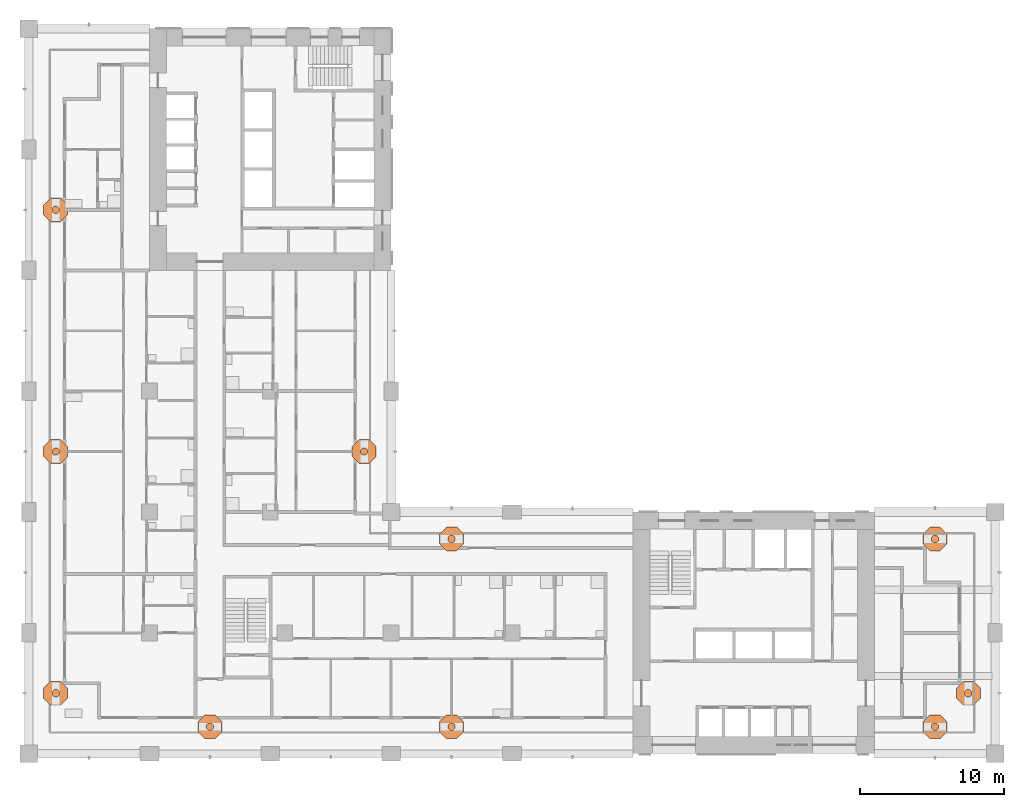
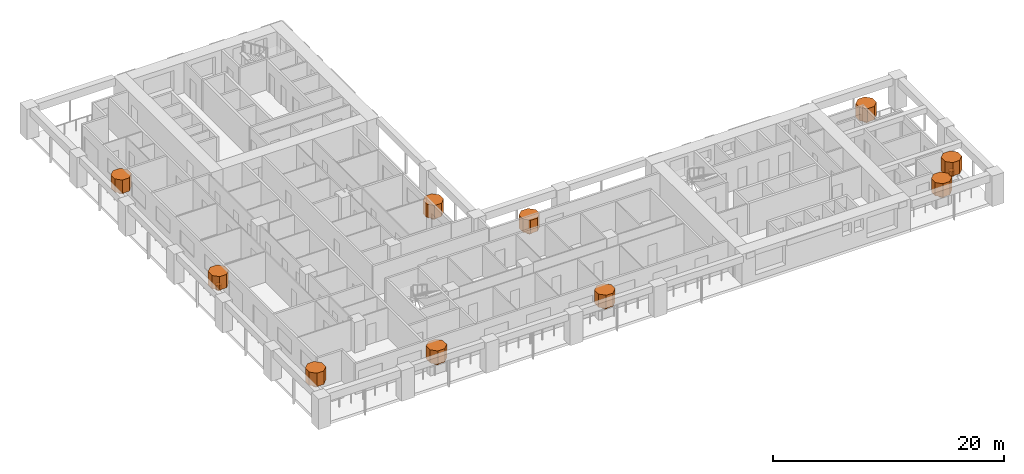
# One storey, part 19 of 19: 20 geographic elements.
"""IFC4 building model written with IfcOpenShell, lengths in metres."""

from ifc_helpers import new_model, si_unit, direction, frame, origin, place, context, subcontext, project, spatial, polyline, outline, extrude, material, element, save


model = new_model("IFC4")

# Units and contexts
model_context = context("Model", 3, precision=1e-05, world=origin(), true_north=direction((0.0, 1.0)))
body_context = subcontext(model_context, "Body", "Model", "MODEL_VIEW")
ifc_project = project(units=[si_unit("LENGTHUNIT", "METRE"), si_unit("AREAUNIT", "SQUARE_METRE"), si_unit("VOLUMEUNIT", "CUBIC_METRE"), si_unit("PLANEANGLEUNIT", "RADIAN"), si_unit("MASSUNIT", "GRAM", prefix="KILO")], contexts=[model_context])

# Site, building, storey
site_placement = place(None, origin())
site = spatial("IfcSite", under=ifc_project, at=site_placement, CompositionType="ELEMENT")
building_placement = place(site_placement, origin())
building = spatial("IfcBuilding", under=site, at=building_placement, Name="Vermilion Gate Residences", CompositionType="ELEMENT")
storey_placement = place(building_placement, frame((0.0, 0.0, 119.699951171875)))
storey = spatial("IfcBuildingStorey", under=building, at=storey_placement, Name="L30", CompositionType="ELEMENT", Elevation=119.699951171875)

# Geographic elements
ifc_material = material(Name="Foliage")
geographic_element_1_placement = place(storey_placement, frame((0.0, 0.0, 0.900146484375)))
element("IfcGeographicElement", 1, at=geographic_element_1_placement, inside=storey, material=ifc_material, Name="Tree (maple)", ObjectType="TREE", PredefinedType="USERDEFINED", context=body_context, shape_type="SweptSolid", body=[
    extrude(outline(polyline([(12.85400390625, 10.380126953125), (12.705078125, 10.529052734375), (12.494873046875, 10.529052734375), (12.345947265625, 10.380126953125), (12.345947265625, 10.169921875), (12.494873046875, 10.02099609375), (12.705078125, 10.02099609375), (12.85400390625, 10.169921875), (12.85400390625, 10.380126953125)])), origin(), (0.0, 0.0, 1.0), 0.52001953125),
])
geographic_element_2_placement = place(storey_placement, frame((0.0, 0.0, 1.420166015625)))
element("IfcGeographicElement", 2, at=geographic_element_2_placement, inside=storey, material=ifc_material, Name="Tree crown (maple)", ObjectType="TREE", PredefinedType="USERDEFINED", context=body_context, shape_type="SweptSolid", body=[
    extrude(outline(polyline([(13.431396484375, 10.619384765625), (12.9443359375, 11.1064453125), (12.255615234375, 11.1064453125), (11.7685546875, 10.619384765625), (11.7685546875, 9.9306640625), (12.255615234375, 9.443603515625), (12.9443359375, 9.443603515625), (13.431396484375, 9.9306640625), (13.431396484375, 10.619384765625)])), origin(), (0.0, 0.0, 1.0), 1.39990234375),
])
geographic_element_3_placement = place(storey_placement, frame((0.0, 0.0, 0.900146484375)))
element("IfcGeographicElement", 3, at=geographic_element_3_placement, inside=storey, material=ifc_material, Name="Tree (black pine)", ObjectType="TREE", PredefinedType="USERDEFINED", context=body_context, shape_type="SweptSolid", body=[
    extrude(outline(polyline([(29.654052734375, 10.380126953125), (29.505126953125, 10.529052734375), (29.294921875, 10.529052734375), (29.14599609375, 10.380126953125), (29.14599609375, 10.169921875), (29.294921875, 10.02099609375), (29.505126953125, 10.02099609375), (29.654052734375, 10.169921875), (29.654052734375, 10.380126953125)])), origin(), (0.0, 0.0, 1.0), 0.52001953125),
])
geographic_element_4_placement = place(storey_placement, frame((0.0, 0.0, 1.420166015625)))
element("IfcGeographicElement", 4, at=geographic_element_4_placement, inside=storey, material=ifc_material, Name="Tree crown (black pine)", ObjectType="TREE", PredefinedType="USERDEFINED", context=body_context, shape_type="SweptSolid", body=[
    extrude(outline(polyline([(30.2314453125, 10.619384765625), (29.744384765625, 11.1064453125), (29.0556640625, 11.1064453125), (28.568603515625, 10.619384765625), (28.568603515625, 9.9306640625), (29.0556640625, 9.443603515625), (29.744384765625, 9.443603515625), (30.2314453125, 9.9306640625), (30.2314453125, 10.619384765625)])), origin(), (0.0, 0.0, 1.0), 1.39990234375),
])
geographic_element_5_placement = place(storey_placement, frame((0.0, 0.0, 0.900146484375)))
element("IfcGeographicElement", 5, at=geographic_element_5_placement, inside=storey, material=ifc_material, Name="Tree (black pine)", ObjectType="TREE", PredefinedType="USERDEFINED", context=body_context, shape_type="SweptSolid", body=[
    extrude(outline(polyline([(63.254150390625, 10.380126953125), (63.105224609375, 10.529052734375), (62.894775390625, 10.529052734375), (62.745849609375, 10.380126953125), (62.745849609375, 10.169921875), (62.894775390625, 10.02099609375), (63.105224609375, 10.02099609375), (63.254150390625, 10.169921875), (63.254150390625, 10.380126953125)])), origin(), (0.0, 0.0, 1.0), 0.52001953125),
])
geographic_element_6_placement = place(storey_placement, frame((0.0, 0.0, 1.420166015625)))
element("IfcGeographicElement", 6, at=geographic_element_6_placement, inside=storey, material=ifc_material, Name="Tree crown (black pine)", ObjectType="TREE", PredefinedType="USERDEFINED", context=body_context, shape_type="SweptSolid", body=[
    extrude(outline(polyline([(63.83154296875, 10.619384765625), (63.344482421875, 11.1064453125), (62.655517578125, 11.1064453125), (62.16845703125, 10.619384765625), (62.16845703125, 9.9306640625), (62.655517578125, 9.443603515625), (63.344482421875, 9.443603515625), (63.83154296875, 9.9306640625), (63.83154296875, 10.619384765625)])), origin(), (0.0, 0.0, 1.0), 1.39990234375),
])
geographic_element_7_placement = place(storey_placement, frame((0.0, 0.0, 0.900146484375)))
element("IfcGeographicElement", 7, at=geographic_element_7_placement, inside=storey, material=ifc_material, Name="Tree (maple)", ObjectType="TREE", PredefinedType="USERDEFINED", context=body_context, shape_type="SweptSolid", body=[
    extrude(outline(polyline([(65.5791015625, 12.705078125), (65.43017578125, 12.85400390625), (65.2197265625, 12.85400390625), (65.07080078125, 12.705078125), (65.07080078125, 12.494873046875), (65.2197265625, 12.345947265625), (65.43017578125, 12.345947265625), (65.5791015625, 12.494873046875), (65.5791015625, 12.705078125)])), origin(), (0.0, 0.0, 1.0), 0.52001953125),
])
geographic_element_8_placement = place(storey_placement, frame((0.0, 0.0, 1.420166015625)))
element("IfcGeographicElement", 8, at=geographic_element_8_placement, inside=storey, material=ifc_material, Name="Tree crown (maple)", ObjectType="TREE", PredefinedType="USERDEFINED", context=body_context, shape_type="SweptSolid", body=[
    extrude(outline(polyline([(66.156494140625, 12.9443359375), (65.66943359375, 13.431396484375), (64.980712890625, 13.431396484375), (64.493408203125, 12.9443359375), (64.493408203125, 12.255615234375), (64.980712890625, 11.7685546875), (65.66943359375, 11.7685546875), (66.156494140625, 12.255615234375), (66.156494140625, 12.9443359375)])), origin(), (0.0, 0.0, 1.0), 1.39990234375),
])
geographic_element_9_placement = place(storey_placement, frame((0.0, 0.0, 0.900146484375)))
element("IfcGeographicElement", 9, at=geographic_element_9_placement, inside=storey, material=ifc_material, Name="Tree (black pine)", ObjectType="TREE", PredefinedType="USERDEFINED", context=body_context, shape_type="SweptSolid", body=[
    extrude(outline(polyline([(29.654052734375, 23.43017578125), (29.505126953125, 23.5791015625), (29.294921875, 23.5791015625), (29.14599609375, 23.43017578125), (29.14599609375, 23.2197265625), (29.294921875, 23.07080078125), (29.505126953125, 23.07080078125), (29.654052734375, 23.2197265625), (29.654052734375, 23.43017578125)])), origin(), (0.0, 0.0, 1.0), 0.52001953125),
])
geographic_element_10_placement = place(storey_placement, frame((0.0, 0.0, 1.420166015625)))
element("IfcGeographicElement", 10, at=geographic_element_10_placement, inside=storey, material=ifc_material, Name="Tree crown (black pine)", ObjectType="TREE", PredefinedType="USERDEFINED", context=body_context, shape_type="SweptSolid", body=[
    extrude(outline(polyline([(30.2314453125, 23.66943359375), (29.744384765625, 24.156494140625), (29.0556640625, 24.156494140625), (28.568603515625, 23.66943359375), (28.568603515625, 22.980712890625), (29.0556640625, 22.493408203125), (29.744384765625, 22.493408203125), (30.2314453125, 22.980712890625), (30.2314453125, 23.66943359375)])), origin(), (0.0, 0.0, 1.0), 1.39990234375),
])
geographic_element_11_placement = place(storey_placement, frame((0.0, 0.0, 0.900146484375)))
element("IfcGeographicElement", 11, at=geographic_element_11_placement, inside=storey, material=ifc_material, Name="Tree (black pine)", ObjectType="TREE", PredefinedType="USERDEFINED", context=body_context, shape_type="SweptSolid", body=[
    extrude(outline(polyline([(63.254150390625, 23.43017578125), (63.105224609375, 23.5791015625), (62.894775390625, 23.5791015625), (62.745849609375, 23.43017578125), (62.745849609375, 23.2197265625), (62.894775390625, 23.07080078125), (63.105224609375, 23.07080078125), (63.254150390625, 23.2197265625), (63.254150390625, 23.43017578125)])), origin(), (0.0, 0.0, 1.0), 0.52001953125),
])
geographic_element_12_placement = place(storey_placement, frame((0.0, 0.0, 1.420166015625)))
element("IfcGeographicElement", 12, at=geographic_element_12_placement, inside=storey, material=ifc_material, Name="Tree crown (black pine)", ObjectType="TREE", PredefinedType="USERDEFINED", context=body_context, shape_type="SweptSolid", body=[
    extrude(outline(polyline([(63.83154296875, 23.66943359375), (63.344482421875, 24.156494140625), (62.655517578125, 24.156494140625), (62.16845703125, 23.66943359375), (62.16845703125, 22.980712890625), (62.655517578125, 22.493408203125), (63.344482421875, 22.493408203125), (63.83154296875, 22.980712890625), (63.83154296875, 23.66943359375)])), origin(), (0.0, 0.0, 1.0), 1.39990234375),
])
geographic_element_13_placement = place(storey_placement, frame((0.0, 0.0, 0.900146484375)))
element("IfcGeographicElement", 13, at=geographic_element_13_placement, inside=storey, material=ifc_material, Name="Tree (black pine)", ObjectType="TREE", PredefinedType="USERDEFINED", context=body_context, shape_type="SweptSolid", body=[
    extrude(outline(polyline([(23.5791015625, 29.505126953125), (23.43017578125, 29.654052734375), (23.2197265625, 29.654052734375), (23.07080078125, 29.505126953125), (23.07080078125, 29.294921875), (23.2197265625, 29.14599609375), (23.43017578125, 29.14599609375), (23.5791015625, 29.294921875), (23.5791015625, 29.505126953125)])), origin(), (0.0, 0.0, 1.0), 0.52001953125),
])
geographic_element_14_placement = place(storey_placement, frame((0.0, 0.0, 1.420166015625)))
element("IfcGeographicElement", 14, at=geographic_element_14_placement, inside=storey, material=ifc_material, Name="Tree crown (black pine)", ObjectType="TREE", PredefinedType="USERDEFINED", context=body_context, shape_type="SweptSolid", body=[
    extrude(outline(polyline([(24.156494140625, 29.744384765625), (23.66943359375, 30.2314453125), (22.980712890625, 30.2314453125), (22.493408203125, 29.744384765625), (22.493408203125, 29.0556640625), (22.980712890625, 28.568603515625), (23.66943359375, 28.568603515625), (24.156494140625, 29.0556640625), (24.156494140625, 29.744384765625)])), origin(), (0.0, 0.0, 1.0), 1.39990234375),
])
geographic_element_15_placement = place(storey_placement, frame((0.0, 0.0, 0.900146484375)))
element("IfcGeographicElement", 15, at=geographic_element_15_placement, inside=storey, material=ifc_material, Name="Tree (maple)", ObjectType="TREE", PredefinedType="USERDEFINED", context=body_context, shape_type="SweptSolid", body=[
    extrude(outline(polyline([(2.129150390625, 12.705078125), (1.980224609375, 12.85400390625), (1.769775390625, 12.85400390625), (1.620849609375, 12.705078125), (1.620849609375, 12.494873046875), (1.769775390625, 12.345947265625), (1.980224609375, 12.345947265625), (2.129150390625, 12.494873046875), (2.129150390625, 12.705078125)])), origin(), (0.0, 0.0, 1.0), 0.52001953125),
])
geographic_element_16_placement = place(storey_placement, frame((0.0, 0.0, 1.420166015625)))
element("IfcGeographicElement", 16, at=geographic_element_16_placement, inside=storey, material=ifc_material, Name="Tree crown (maple)", ObjectType="TREE", PredefinedType="USERDEFINED", context=body_context, shape_type="SweptSolid", body=[
    extrude(outline(polyline([(2.70654296875, 12.9443359375), (2.219482421875, 13.431396484375), (1.530517578125, 13.431396484375), (1.04345703125, 12.9443359375), (1.04345703125, 12.255615234375), (1.530517578125, 11.7685546875), (2.219482421875, 11.7685546875), (2.70654296875, 12.255615234375), (2.70654296875, 12.9443359375)])), origin(), (0.0, 0.0, 1.0), 1.39990234375),
])
geographic_element_17_placement = place(storey_placement, frame((0.0, 0.0, 0.900146484375)))
element("IfcGeographicElement", 17, at=geographic_element_17_placement, inside=storey, material=ifc_material, Name="Tree (black pine)", ObjectType="TREE", PredefinedType="USERDEFINED", context=body_context, shape_type="SweptSolid", body=[
    extrude(outline(polyline([(2.129150390625, 29.505126953125), (1.980224609375, 29.654052734375), (1.769775390625, 29.654052734375), (1.620849609375, 29.505126953125), (1.620849609375, 29.294921875), (1.769775390625, 29.14599609375), (1.980224609375, 29.14599609375), (2.129150390625, 29.294921875), (2.129150390625, 29.505126953125)])), origin(), (0.0, 0.0, 1.0), 0.52001953125),
])
geographic_element_18_placement = place(storey_placement, frame((0.0, 0.0, 1.420166015625)))
element("IfcGeographicElement", 18, at=geographic_element_18_placement, inside=storey, material=ifc_material, Name="Tree crown (black pine)", ObjectType="TREE", PredefinedType="USERDEFINED", context=body_context, shape_type="SweptSolid", body=[
    extrude(outline(polyline([(2.70654296875, 29.744384765625), (2.219482421875, 30.2314453125), (1.530517578125, 30.2314453125), (1.04345703125, 29.744384765625), (1.04345703125, 29.0556640625), (1.530517578125, 28.568603515625), (2.219482421875, 28.568603515625), (2.70654296875, 29.0556640625), (2.70654296875, 29.744384765625)])), origin(), (0.0, 0.0, 1.0), 1.39990234375),
])
geographic_element_19_placement = place(storey_placement, frame((0.0, 0.0, 0.900146484375)))
element("IfcGeographicElement", 19, at=geographic_element_19_placement, inside=storey, material=ifc_material, Name="Tree (maple)", ObjectType="TREE", PredefinedType="USERDEFINED", context=body_context, shape_type="SweptSolid", body=[
    extrude(outline(polyline([(2.129150390625, 46.30517578125), (1.980224609375, 46.4541015625), (1.769775390625, 46.4541015625), (1.620849609375, 46.30517578125), (1.620849609375, 46.0947265625), (1.769775390625, 45.94580078125), (1.980224609375, 45.94580078125), (2.129150390625, 46.0947265625), (2.129150390625, 46.30517578125)])), origin(), (0.0, 0.0, 1.0), 0.52001953125),
])
geographic_element_20_placement = place(storey_placement, frame((0.0, 0.0, 1.420166015625)))
element("IfcGeographicElement", 20, at=geographic_element_20_placement, inside=storey, material=ifc_material, Name="Tree crown (maple)", ObjectType="TREE", PredefinedType="USERDEFINED", context=body_context, shape_type="SweptSolid", body=[
    extrude(outline(polyline([(2.70654296875, 46.54443359375), (2.219482421875, 47.031494140625), (1.530517578125, 47.031494140625), (1.04345703125, 46.54443359375), (1.04345703125, 45.855712890625), (1.530517578125, 45.368408203125), (2.219482421875, 45.368408203125), (2.70654296875, 45.855712890625), (2.70654296875, 46.54443359375)])), origin(), (0.0, 0.0, 1.0), 1.39990234375),
])

save(model, "model.ifc")
